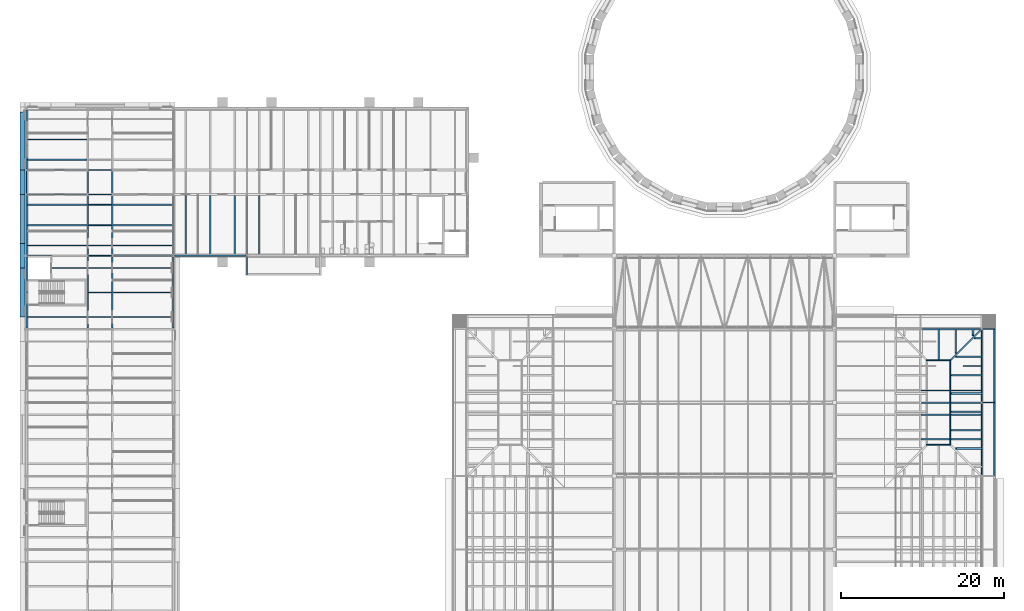
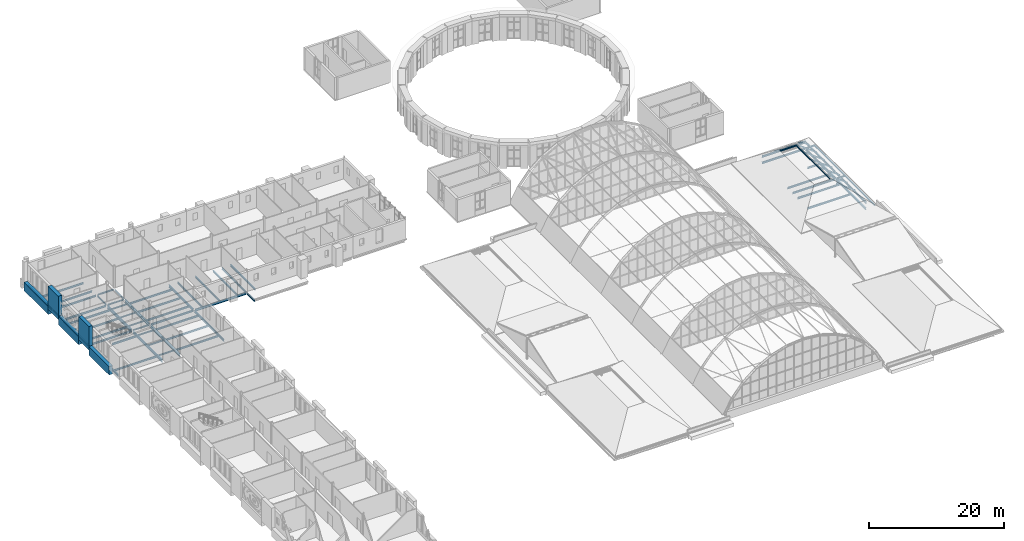
# One storey, part 48 of 121: 63 beams, 16 members.
"""IFC4 building model written with IfcOpenShell, lengths in metres."""

from ifc_helpers import new_model, si_unit, direction, frame, origin, origin_2d, place, context, subcontext, project, spatial, rectangle, hollow_rectangle, i_section, extrude, material, material_profile, profile_set, type_object, element, save


model = new_model("IFC4")

# Units and contexts
model_context = context("Model", 3, precision=1e-05, world=origin(), true_north=direction((0.0, 1.0)))
body_context = subcontext(model_context, "Body", "Model", "MODEL_VIEW")
ifc_project = project(units=[si_unit("LENGTHUNIT", "METRE"), si_unit("AREAUNIT", "SQUARE_METRE"), si_unit("VOLUMEUNIT", "CUBIC_METRE"), si_unit("PLANEANGLEUNIT", "RADIAN"), si_unit("MASSUNIT", "GRAM", prefix="KILO")], contexts=[model_context])

# Site, building, storey
site_placement = place(None, origin())
site = spatial("IfcSite", under=ifc_project, at=site_placement, CompositionType="ELEMENT")
building_placement = place(site_placement, origin())
building = spatial("IfcBuilding", under=site, at=building_placement, Name="Golden Quay Civic Hall", CompositionType="ELEMENT")
storey_placement = place(building_placement, frame((0.0, 0.0, 18.60009765625)))
storey = spatial("IfcBuildingStorey", under=building, at=storey_placement, Name="L04", CompositionType="ELEMENT", Elevation=18.60009765625)

# Beams
ifc_material_1 = material(Name="Steel S355", Category="steel")
ifc_material_profile_1 = material_profile(ifc_material_1, i_section(OverallWidth=0.199951171875, OverallDepth=0.18994140625, WebThickness=0.006591796875, FlangeThickness=0.010009765625, FilletRadius=0.01806640625, at=origin_2d()), Name="HEA 200")
ifc_profile_set_1 = profile_set([ifc_material_profile_1], Name="Steel S355")
beam_type_1 = type_object("IfcBeamType", Name="Eave edge beam HEA 200", PredefinedType="BEAM", material=ifc_profile_set_1)
for number, where, z_axis, x_axis, name in (
    (1, (118.550048828125, 36.0673828125, -0.34521484375), (0.0, 1.0, 0.0), (-1.0, 0.0, 0.0), "Eave edge beam HEA 200 L04 20"),
    (2, (118.550048828125, 45.0673828125, -0.34521484375), (0.0, 1.0, 0.0), (-1.0, 0.0, 0.0), "Eave edge beam HEA 200 L04 21"),
):
    element("IfcBeam", number, at=place(storey_placement, frame(where, z_axis=z_axis, x_axis=x_axis)), inside=storey, type_object=beam_type_1, Name=name, PredefinedType="BEAM", context=body_context, shape_type="SweptSolid", body=[
        extrude(i_section(OverallWidth=0.199951171875, OverallDepth=0.18994140625, WebThickness=0.006591796875, FlangeThickness=0.010009765625, FilletRadius=0.01806640625, at=origin_2d()), origin(), (0.0, 0.0, 1.0), 8.865234375),
    ])
ifc_material_2 = material(Name="Steel S355", Category="steel")
ifc_material_profile_2 = material_profile(ifc_material_2, i_section(OverallWidth=0.135009765625, OverallDepth=0.27001953125, WebThickness=0.006591796875, FlangeThickness=0.01025390625, FilletRadius=0.014892578125, at=origin_2d()), Name="IPE 270")
ifc_profile_set_2 = profile_set([ifc_material_profile_2], Name="Steel S355")
beam_type_2 = type_object("IfcBeamType", Name="Eave stub IPE 270", PredefinedType="BEAM", material=ifc_profile_set_2)
for number, where, z_axis, x_axis, name in (
    (3, (117.10009765625, 45.0, -0.385009765625), (1.0, 0.0, 0.0), (0.0, 1.0, 0.0), "Eave stub IPE 270 L04 25"),
    (4, (117.10009765625, 54.0, -0.385009765625), (1.0, 0.0, 0.0), (0.0, 1.0, 0.0), "Eave stub IPE 270 L04 26"),
):
    element("IfcBeam", number, at=place(storey_placement, frame(where, z_axis=z_axis, x_axis=x_axis)), inside=storey, type_object=beam_type_2, Name=name, PredefinedType="BEAM", context=body_context, shape_type="SweptSolid", body=[
        extrude(i_section(OverallWidth=0.135009765625, OverallDepth=0.27001953125, WebThickness=0.006591796875, FlangeThickness=0.01025390625, FilletRadius=0.014892578125, at=origin_2d()), origin(), (0.0, 0.0, 1.0), 1.5498046875),
    ])
ifc_material_3 = material(Name="Steel S355", Category="steel")
ifc_material_profile_3 = material_profile(ifc_material_3, i_section(OverallWidth=0.159912109375, OverallDepth=0.330078125, WebThickness=0.007568359375, FlangeThickness=0.011474609375, FilletRadius=0.01806640625, at=origin_2d()), Name="IPE 330")
ifc_profile_set_3 = profile_set([ifc_material_profile_3], Name="Steel S355")
beam_type_3 = type_object("IfcBeamType", Name="Loggia stub IPE 330", PredefinedType="BEAM", material=ifc_profile_set_3)
beam_1_placement = place(storey_placement, frame((27.0, 62.905029296875, -0.364990234375), z_axis=(0.0, -1.0, 0.0), x_axis=(1.0, 0.0, 0.0)))
element("IfcBeam", 5, at=beam_1_placement, inside=storey, type_object=beam_type_3, Name="Loggia stub IPE 330 L04 1", PredefinedType="BEAM", context=body_context, shape_type="SweptSolid", body=[
    extrude(i_section(OverallWidth=0.159912109375, OverallDepth=0.330078125, WebThickness=0.007568359375, FlangeThickness=0.011474609375, FilletRadius=0.01806640625, at=origin_2d()), origin(), (0.0, 0.0, 1.0), 2.255126953125),
])

# Members
ifc_material_4 = material(Name="Concrete C40/50", Category="concrete")
ifc_material_profile_4 = material_profile(ifc_material_4, rectangle(XDim=3.0, YDim=0.60009765625, at=origin_2d()), Name="RC 3000x600")
ifc_profile_set_4 = profile_set([ifc_material_profile_4], Name="Concrete C40/50")
member_type_1 = type_object("IfcMemberType", Name="Precast concrete facade pier 3000 x 600", PredefinedType="POST", material=ifc_profile_set_4)
for number, where, z_axis, x_axis, name in (
    (6, (-0.5, 63.0, 0.0), (0.0, 0.0, 1.0), (0.0, 1.0, 0.0), "Precast concrete facade pier 3000 x 600 L04 7"),
    (7, (-0.5, 72.0, 0.0), (0.0, 0.0, 1.0), (0.0, 1.0, 0.0), "Precast concrete facade pier 3000 x 600 L04 8"),
):
    element("IfcMember", number, at=place(storey_placement, frame(where, z_axis=z_axis, x_axis=x_axis)), inside=storey, type_object=member_type_1, Name=name, PredefinedType="POST", context=body_context, shape_type="SweptSolid", body=[
        extrude(rectangle(XDim=3.0, YDim=0.60009765625, at=origin_2d()), origin(), (0.0, 0.0, 1.0), 4.199951171875),
    ])

# Beams
ifc_material_5 = material(Name="Concrete C40/50", Category="concrete")
ifc_material_profile_5 = material_profile(ifc_material_5, rectangle(XDim=0.60009765625, YDim=1.5, at=origin_2d()), Name="RC 600x1500")
ifc_profile_set_5 = profile_set([ifc_material_profile_5], Name="Concrete C40/50")
beam_type_4 = type_object("IfcBeamType", Name="Precast concrete spandrel beam 600 x 1500", PredefinedType="SPANDREL", material=ifc_profile_set_5)
beam_2_placement = place(storey_placement, frame((-0.5, 73.5, -0.150146484375), z_axis=(0.0, 1.0, 0.0), x_axis=(-1.0, 0.0, 0.0)))
element("IfcBeam", 8, at=beam_2_placement, inside=storey, type_object=beam_type_4, Name="Precast concrete spandrel beam 600 x 1500 L04 3", PredefinedType="SPANDREL", context=body_context, shape_type="SweptSolid", body=[
    extrude(rectangle(XDim=0.60009765625, YDim=1.5, at=origin_2d()), origin(), (0.0, 0.0, 1.0), 7.10009765625),
])
for number, where, z_axis, x_axis, name in (
    (9, (-0.5, 64.5, -0.150146484375), (0.0, 1.0, 0.0), (-1.0, 0.0, 0.0), "Precast concrete spandrel beam 600 x 1500 L04 6"),
    (10, (-0.5, 55.5, -0.150146484375), (0.0, 1.0, 0.0), (-1.0, 0.0, 0.0), "Precast concrete spandrel beam 600 x 1500 L04 7"),
):
    element("IfcBeam", number, at=place(storey_placement, frame(where, z_axis=z_axis, x_axis=x_axis)), inside=storey, type_object=beam_type_4, Name=name, PredefinedType="SPANDREL", context=body_context, shape_type="SweptSolid", body=[
        extrude(rectangle(XDim=0.60009765625, YDim=1.5, at=origin_2d()), origin(), (0.0, 0.0, 1.0), 6.0),
    ])
ifc_material_6 = material(Name="Steel S355", Category="steel")
ifc_material_profile_6 = material_profile(ifc_material_6, i_section(OverallWidth=0.10009765625, OverallDepth=0.199951171875, WebThickness=0.005615234375, FlangeThickness=0.008544921875, FilletRadius=0.011962890625, at=origin_2d()), Name="IPE 200")
ifc_profile_set_6 = profile_set([ifc_material_profile_6], Name="Steel S355")
beam_type_5 = type_object("IfcBeamType", Name="Steel beam IPE 200", PredefinedType="BEAM", material=ifc_profile_set_6)
for number, where, z_axis, x_axis, name in (
    (11, (7.64990234375, 63.0, -0.300048828125), (1.0, 0.0, 0.0), (0.0, 1.0, 0.0), "Beam S63-7.5"),
    (12, (7.64990234375, 70.5, -0.300048828125), (1.0, 0.0, 0.0), (0.0, 1.0, 0.0), "Beam S70.5-7.5"),
    (13, (7.64990234375, 73.5, -0.300048828125), (1.0, 0.0, 0.0), (0.0, 1.0, 0.0), "Beam S73.5-7.5"),
):
    element("IfcBeam", number, at=place(storey_placement, frame(where, z_axis=z_axis, x_axis=x_axis)), inside=storey, type_object=beam_type_5, Name=name, PredefinedType="BEAM", context=body_context, shape_type="SweptSolid", body=[
        extrude(i_section(OverallWidth=0.10009765625, OverallDepth=0.199951171875, WebThickness=0.005615234375, FlangeThickness=0.008544921875, FilletRadius=0.011962890625, at=origin_2d()), origin(), (0.0, 0.0, 1.0), 2.7001953125),
    ])
ifc_material_7 = material(Name="Steel S355", Category="steel")
ifc_material_profile_7 = material_profile(ifc_material_7, i_section(OverallWidth=0.135009765625, OverallDepth=0.27001953125, WebThickness=0.006591796875, FlangeThickness=0.01025390625, FilletRadius=0.014892578125, at=origin_2d()), Name="IPE 270")
ifc_profile_set_7 = profile_set([ifc_material_profile_7], Name="Steel S355")
beam_type_6 = type_object("IfcBeamType", Name="Steel beam IPE 270", PredefinedType="BEAM", material=ifc_profile_set_7)
beam_3_placement = place(storey_placement, frame((0.0, 70.635009765625, -0.335205078125), z_axis=(0.0, 1.0, 0.0), x_axis=(-1.0, 0.0, 0.0)))
element("IfcBeam", 14, at=beam_3_placement, inside=storey, type_object=beam_type_6, Name="Beam L0-70.5", PredefinedType="BEAM", context=body_context, shape_type="SweptSolid", body=[
    extrude(i_section(OverallWidth=0.135009765625, OverallDepth=0.27001953125, WebThickness=0.006591796875, FlangeThickness=0.01025390625, FilletRadius=0.014892578125, at=origin_2d()), origin(), (0.0, 0.0, 1.0), 2.72998046875),
])
for number, where, z_axis, x_axis, name in (
    (15, (7.5, 70.64501953125, -0.335205078125), (0.0, 1.0, 0.0), (-1.0, 0.0, 0.0), "Beam L7.5-70.5"),
    (16, (10.5, 70.64501953125, -0.335205078125), (0.0, 1.0, 0.0), (-1.0, 0.0, 0.0), "Beam L10.5-70.5"),
):
    element("IfcBeam", number, at=place(storey_placement, frame(where, z_axis=z_axis, x_axis=x_axis)), inside=storey, type_object=beam_type_6, Name=name, PredefinedType="BEAM", context=body_context, shape_type="SweptSolid", body=[
        extrude(i_section(OverallWidth=0.135009765625, OverallDepth=0.27001953125, WebThickness=0.006591796875, FlangeThickness=0.01025390625, FilletRadius=0.014892578125, at=origin_2d()), origin(), (0.0, 0.0, 1.0), 2.7099609375),
    ])
ifc_material_8 = material(Name="Steel S355", Category="steel")
ifc_material_profile_8 = material_profile(ifc_material_8, i_section(OverallWidth=0.159912109375, OverallDepth=0.330078125, WebThickness=0.007568359375, FlangeThickness=0.011474609375, FilletRadius=0.01806640625, at=origin_2d()), Name="IPE 330")
ifc_profile_set_8 = profile_set([ifc_material_profile_8], Name="Steel S355")
beam_type_7 = type_object("IfcBeamType", Name="Steel beam IPE 330", PredefinedType="BEAM", material=ifc_profile_set_8)
for number, where, z_axis, x_axis, name in (
    (17, (0.139892578125, 63.0, -0.364990234375), (1.0, 0.0, 0.0), (0.0, 1.0, 0.0), "Beam S63-0"),
    (18, (10.64990234375, 63.0, -0.364990234375), (1.0, 0.0, 0.0), (0.0, 1.0, 0.0), "Beam S63-10.5"),
    (19, (0.139892578125, 70.5, -0.364990234375), (1.0, 0.0, 0.0), (0.0, 1.0, 0.0), "Beam S70.5-0"),
    (20, (0.139892578125, 73.5, -0.364990234375), (1.0, 0.0, 0.0), (0.0, 1.0, 0.0), "Beam S73.5-0"),
):
    element("IfcBeam", number, at=place(storey_placement, frame(where, z_axis=z_axis, x_axis=x_axis)), inside=storey, type_object=beam_type_7, Name=name, PredefinedType="BEAM", context=body_context, shape_type="SweptSolid", body=[
        extrude(i_section(OverallWidth=0.159912109375, OverallDepth=0.330078125, WebThickness=0.007568359375, FlangeThickness=0.011474609375, FilletRadius=0.01806640625, at=origin_2d()), origin(), (0.0, 0.0, 1.0), 7.210205078125),
    ])
beam_4_placement = place(storey_placement, frame((27.0, 63.114990234375, -0.364990234375), z_axis=(0.0, 1.0, 0.0), x_axis=(-1.0, 0.0, 0.0)))
element("IfcBeam", 21, at=beam_4_placement, inside=storey, type_object=beam_type_7, Name="Beam S27-63", PredefinedType="BEAM", context=body_context, shape_type="SweptSolid", body=[
    extrude(i_section(OverallWidth=0.159912109375, OverallDepth=0.330078125, WebThickness=0.007568359375, FlangeThickness=0.011474609375, FilletRadius=0.01806640625, at=origin_2d()), origin(), (0.0, 0.0, 1.0), 7.25),
])
beam_5_placement = place(storey_placement, frame((109.6201171875, 45.0, -0.4150390625), z_axis=(1.0, 0.0, 0.0), x_axis=(0.0, 1.0, 0.0)))
element("IfcBeam", 22, at=beam_5_placement, inside=storey, type_object=beam_type_7, Name="Beam S45-109.5", PredefinedType="BEAM", context=body_context, shape_type="SweptSolid", body=[
    extrude(i_section(OverallWidth=0.159912109375, OverallDepth=0.330078125, WebThickness=0.007568359375, FlangeThickness=0.011474609375, FilletRadius=0.01806640625, at=origin_2d()), origin(), (0.0, 0.0, 1.0), 7.27978515625),
])
beam_6_placement = place(storey_placement, frame((109.60009765625, 54.0, -0.4150390625), z_axis=(1.0, 0.0, 0.0), x_axis=(0.0, 1.0, 0.0)))
element("IfcBeam", 23, at=beam_6_placement, inside=storey, type_object=beam_type_7, Name="Beam S54-109.5", PredefinedType="BEAM", context=body_context, shape_type="SweptSolid", body=[
    extrude(i_section(OverallWidth=0.159912109375, OverallDepth=0.330078125, WebThickness=0.007568359375, FlangeThickness=0.011474609375, FilletRadius=0.01806640625, at=origin_2d()), origin(), (0.0, 0.0, 1.0), 7.2998046875),
])
ifc_material_9 = material(Name="Steel S355", Category="steel")
ifc_material_profile_9 = material_profile(ifc_material_9, i_section(OverallWidth=0.179931640625, OverallDepth=0.39990234375, WebThickness=0.008544921875, FlangeThickness=0.013427734375, FilletRadius=0.02099609375, at=origin_2d()), Name="IPE 400")
ifc_profile_set_9 = profile_set([ifc_material_profile_9], Name="Steel S355")
beam_type_8 = type_object("IfcBeamType", Name="Steel beam IPE 400", PredefinedType="BEAM", material=ifc_profile_set_9)
beam_7_placement = place(storey_placement, frame((0.0, 54.135009765625, -0.400146484375), z_axis=(0.0, 1.0, 0.0), x_axis=(-1.0, 0.0, 0.0)))
element("IfcBeam", 24, at=beam_7_placement, inside=storey, type_object=beam_type_8, Name="Beam L0-54", PredefinedType="BEAM", context=body_context, shape_type="SweptSolid", body=[
    extrude(i_section(OverallWidth=0.179931640625, OverallDepth=0.39990234375, WebThickness=0.008544921875, FlangeThickness=0.013427734375, FilletRadius=0.02099609375, at=origin_2d()), origin(), (0.0, 0.0, 1.0), 8.72998046875),
])
for number, where, z_axis, x_axis, name in (
    (25, (0.0, 63.135009765625, -0.400146484375), (0.0, 1.0, 0.0), (-1.0, 0.0, 0.0), "Beam L0-63"),
    (26, (0.0, 73.635009765625, -0.400146484375), (0.0, 1.0, 0.0), (-1.0, 0.0, 0.0), "Beam L0-73.5"),
):
    element("IfcBeam", number, at=place(storey_placement, frame(where, z_axis=z_axis, x_axis=x_axis)), inside=storey, type_object=beam_type_8, Name=name, PredefinedType="BEAM", context=body_context, shape_type="SweptSolid", body=[
        extrude(i_section(OverallWidth=0.179931640625, OverallDepth=0.39990234375, WebThickness=0.008544921875, FlangeThickness=0.013427734375, FilletRadius=0.02099609375, at=origin_2d()), origin(), (0.0, 0.0, 1.0), 7.22998046875),
    ])
beam_8_placement = place(storey_placement, frame((18.0, 54.135009765625, -0.400146484375), z_axis=(0.0, 1.0, 0.0), x_axis=(-1.0, 0.0, 0.0)))
element("IfcBeam", 27, at=beam_8_placement, inside=storey, type_object=beam_type_8, Name="Beam L18-54", PredefinedType="BEAM", context=body_context, shape_type="SweptSolid", body=[
    extrude(i_section(OverallWidth=0.179931640625, OverallDepth=0.39990234375, WebThickness=0.008544921875, FlangeThickness=0.013427734375, FilletRadius=0.02099609375, at=origin_2d()), origin(), (0.0, 0.0, 1.0), 8.72998046875),
])
beam_9_placement = place(storey_placement, frame((18.0, 63.135009765625, -0.400146484375), z_axis=(0.0, 1.0, 0.0), x_axis=(-1.0, 0.0, 0.0)))
element("IfcBeam", 28, at=beam_9_placement, inside=storey, type_object=beam_type_8, Name="Beam L18-63", PredefinedType="BEAM", context=body_context, shape_type="SweptSolid", body=[
    extrude(i_section(OverallWidth=0.179931640625, OverallDepth=0.39990234375, WebThickness=0.008544921875, FlangeThickness=0.013427734375, FilletRadius=0.02099609375, at=origin_2d()), origin(), (0.0, 0.0, 1.0), 7.22998046875),
])
beam_10_placement = place(storey_placement, frame((18.139892578125, 63.0, -0.400146484375), z_axis=(1.0, 0.0, 0.0), x_axis=(0.0, 1.0, 0.0)))
element("IfcBeam", 29, at=beam_10_placement, inside=storey, type_object=beam_type_8, Name="Beam L63-18", PredefinedType="BEAM", context=body_context, shape_type="SweptSolid", body=[
    extrude(i_section(OverallWidth=0.179931640625, OverallDepth=0.39990234375, WebThickness=0.008544921875, FlangeThickness=0.013427734375, FilletRadius=0.02099609375, at=origin_2d()), origin(), (0.0, 0.0, 1.0), 8.739990234375),
])
for number, where, z_axis, x_axis, name in (
    (30, (117.0, 36.094970703125, -0.4501953125), (0.0, 1.0, 0.0), (-1.0, 0.0, 0.0), "Beam L117-36"),
    (31, (117.0, 45.094970703125, -0.4501953125), (0.0, 1.0, 0.0), (-1.0, 0.0, 0.0), "Beam L117-45"),
):
    element("IfcBeam", number, at=place(storey_placement, frame(where, z_axis=z_axis, x_axis=x_axis)), inside=storey, type_object=beam_type_8, Name=name, PredefinedType="BEAM", context=body_context, shape_type="SweptSolid", body=[
        extrude(i_section(OverallWidth=0.179931640625, OverallDepth=0.39990234375, WebThickness=0.008544921875, FlangeThickness=0.013427734375, FilletRadius=0.02099609375, at=origin_2d()), origin(), (0.0, 0.0, 1.0), 8.81005859375),
    ])
ifc_material_10 = material(Name="Steel S355", Category="steel")
ifc_material_profile_10 = material_profile(ifc_material_10, i_section(OverallWidth=0.199951171875, OverallDepth=0.5, WebThickness=0.01025390625, FlangeThickness=0.01611328125, FilletRadius=0.02099609375, at=origin_2d()), Name="IPE 500")
ifc_profile_set_10 = profile_set([ifc_material_profile_10], Name="Steel S355")
beam_type_9 = type_object("IfcBeamType", Name="Steel beam IPE 500", PredefinedType="BEAM", material=ifc_profile_set_10)
beam_11_placement = place(storey_placement, frame((7.5, 54.14501953125, -0.4501953125), z_axis=(0.0, 1.0, 0.0), x_axis=(-1.0, 0.0, 0.0)))
element("IfcBeam", 32, at=beam_11_placement, inside=storey, type_object=beam_type_9, Name="Beam L7.5-54", PredefinedType="BEAM", context=body_context, shape_type="SweptSolid", body=[
    extrude(i_section(OverallWidth=0.199951171875, OverallDepth=0.5, WebThickness=0.01025390625, FlangeThickness=0.01611328125, FilletRadius=0.02099609375, at=origin_2d()), origin(), (0.0, 0.0, 1.0), 8.7099609375),
])
beam_12_placement = place(storey_placement, frame((7.5, 63.14501953125, -0.4501953125), z_axis=(0.0, 1.0, 0.0), x_axis=(-1.0, 0.0, 0.0)))
element("IfcBeam", 33, at=beam_12_placement, inside=storey, type_object=beam_type_9, Name="Beam L7.5-63", PredefinedType="BEAM", context=body_context, shape_type="SweptSolid", body=[
    extrude(i_section(OverallWidth=0.199951171875, OverallDepth=0.5, WebThickness=0.01025390625, FlangeThickness=0.01611328125, FilletRadius=0.02099609375, at=origin_2d()), origin(), (0.0, 0.0, 1.0), 7.2099609375),
])
beam_13_placement = place(storey_placement, frame((10.5, 54.14501953125, -0.4501953125), z_axis=(0.0, 1.0, 0.0), x_axis=(-1.0, 0.0, 0.0)))
element("IfcBeam", 34, at=beam_13_placement, inside=storey, type_object=beam_type_9, Name="Beam L10.5-54", PredefinedType="BEAM", context=body_context, shape_type="SweptSolid", body=[
    extrude(i_section(OverallWidth=0.199951171875, OverallDepth=0.5, WebThickness=0.01025390625, FlangeThickness=0.01611328125, FilletRadius=0.02099609375, at=origin_2d()), origin(), (0.0, 0.0, 1.0), 8.7099609375),
])
beam_14_placement = place(storey_placement, frame((10.5, 63.14501953125, -0.4501953125), z_axis=(0.0, 1.0, 0.0), x_axis=(-1.0, 0.0, 0.0)))
element("IfcBeam", 35, at=beam_14_placement, inside=storey, type_object=beam_type_9, Name="Beam L10.5-63", PredefinedType="BEAM", context=body_context, shape_type="SweptSolid", body=[
    extrude(i_section(OverallWidth=0.199951171875, OverallDepth=0.5, WebThickness=0.01025390625, FlangeThickness=0.01611328125, FilletRadius=0.02099609375, at=origin_2d()), origin(), (0.0, 0.0, 1.0), 7.2099609375),
])

# Members
ifc_material_11 = material(Name="Steel S355", Category="steel")
ifc_material_profile_11 = material_profile(ifc_material_11, hollow_rectangle(XDim=0.199951171875, YDim=0.199951171875, WallThickness=0.010009765625, at=origin_2d()), Name="SHS 200x200x10")
ifc_profile_set_11 = profile_set([ifc_material_profile_11], Name="Steel S355")
member_type_2 = type_object("IfcMemberType", Name="Steel jack rafter SHS 200x200x10", PredefinedType="RAFTER", material=ifc_profile_set_11)
member_1_placement = place(storey_placement, frame((111.75, 54.0, 0.96484375), z_axis=(0.0, -0.8, 0.6), x_axis=(1.0, 0.0, 0.0)))
element("IfcMember", 36, at=member_1_placement, inside=storey, type_object=member_type_2, Name="Jack rafter EM-N north 3", PredefinedType="RAFTER", context=body_context, shape_type="SweptSolid", body=[
    extrude(hollow_rectangle(XDim=0.199951171875, YDim=0.199951171875, WallThickness=0.010009765625, at=origin_2d()), origin(), (0.0, 0.0, 1.0), 4.6875),
])
member_2_placement = place(storey_placement, frame((113.85009765625, 54.0, 0.96484375), z_axis=(0.0, -0.799983835699, 0.600021551797), x_axis=(1.0, 0.0, 0.0)))
element("IfcMember", 37, at=member_2_placement, inside=storey, type_object=member_type_2, Name="Jack rafter EM-N north 4", PredefinedType="RAFTER", context=body_context, shape_type="SweptSolid", body=[
    extrude(hollow_rectangle(XDim=0.199951171875, YDim=0.199951171875, WallThickness=0.010009765625, at=origin_2d()), origin(), (0.0, 0.0, 1.0), 3.625),
])
member_3_placement = place(storey_placement, frame((115.949951171875, 54.0, 0.96484375), z_axis=(0.0, -0.799970705032, 0.600039057971), x_axis=(1.0, 0.0, 0.0)))
element("IfcMember", 38, at=member_3_placement, inside=storey, type_object=member_type_2, Name="Jack rafter EM-N north 5", PredefinedType="RAFTER", context=body_context, shape_type="SweptSolid", body=[
    extrude(hollow_rectangle(XDim=0.199951171875, YDim=0.199951171875, WallThickness=0.010009765625, at=origin_2d()), origin(), (0.0, 0.0, 1.0), 1.0),
])
member_4_placement = place(storey_placement, frame((117.0, 39.375, 0.96484375), z_axis=(-0.8, 0.0, 0.6), x_axis=(0.0, -1.0, 0.0)))
element("IfcMember", 39, at=member_4_placement, inside=storey, type_object=member_type_2, Name="Jack rafter EM-N east 2", PredefinedType="RAFTER", context=body_context, shape_type="SweptSolid", body=[
    extrude(hollow_rectangle(XDim=0.199951171875, YDim=0.199951171875, WallThickness=0.010009765625, at=origin_2d()), origin(), (0.0, 0.0, 1.0), 3.90625),
])
for number, where, z_axis, x_axis, name in (
    (40, (117.0, 41.625, 0.96484375), (-0.8, 0.0, 0.6), (0.0, -1.0, 0.0), "Jack rafter EM-N east 3"),
    (41, (117.0, 43.875, 0.96484375), (-0.8, 0.0, 0.6), (0.0, -1.0, 0.0), "Jack rafter EM-N east 4"),
    (42, (117.0, 46.125, 0.96484375), (-0.8, 0.0, 0.6), (0.0, -1.0, 0.0), "Jack rafter EM-N east 5"),
    (43, (117.0, 48.375, 0.96484375), (-0.8, 0.0, 0.6), (0.0, -1.0, 0.0), "Jack rafter EM-N east 6"),
):
    element("IfcMember", number, at=place(storey_placement, frame(where, z_axis=z_axis, x_axis=x_axis)), inside=storey, type_object=member_type_2, Name=name, PredefinedType="RAFTER", context=body_context, shape_type="SweptSolid", body=[
        extrude(hollow_rectangle(XDim=0.199951171875, YDim=0.199951171875, WallThickness=0.010009765625, at=origin_2d()), origin(), (0.0, 0.0, 1.0), 4.6875),
    ])
member_5_placement = place(storey_placement, frame((117.0, 50.625, 0.96484375), z_axis=(-0.8, 0.0, 0.6), x_axis=(0.0, -1.0, 0.0)))
element("IfcMember", 44, at=member_5_placement, inside=storey, type_object=member_type_2, Name="Jack rafter EM-N east 7", PredefinedType="RAFTER", context=body_context, shape_type="SweptSolid", body=[
    extrude(hollow_rectangle(XDim=0.199951171875, YDim=0.199951171875, WallThickness=0.010009765625, at=origin_2d()), origin(), (0.0, 0.0, 1.0), 3.90625),
])
member_6_placement = place(storey_placement, frame((117.0, 52.875, 0.96484375), z_axis=(-0.8, 0.0, 0.6), x_axis=(0.0, -1.0, 0.0)))
element("IfcMember", 45, at=member_6_placement, inside=storey, type_object=member_type_2, Name="Jack rafter EM-N east 8", PredefinedType="RAFTER", context=body_context, shape_type="SweptSolid", body=[
    extrude(hollow_rectangle(XDim=0.199951171875, YDim=0.199951171875, WallThickness=0.010009765625, at=origin_2d()), origin(), (0.0, 0.0, 1.0), 1.09375),
])

# Beams
ifc_material_12 = material(Name="Steel S355", Category="steel")
ifc_material_profile_12 = material_profile(ifc_material_12, i_section(OverallWidth=0.10009765625, OverallDepth=0.199951171875, WebThickness=0.005615234375, FlangeThickness=0.008544921875, FilletRadius=0.011962890625, at=origin_2d()), Name="IPE 200")
ifc_profile_set_12 = profile_set([ifc_material_profile_12], Name="Steel S355")
beam_type_10 = type_object("IfcBeamType", Name="Steel joist IPE 200", PredefinedType="JOIST", material=ifc_profile_set_12)
for number, where, z_axis, x_axis, name in (
    (46, (7.60009765625, 55.5, -0.300048828125), (1.0, 0.0, 0.0), (0.0, 1.0, 0.0), "Joist J55.5-7.5"),
    (47, (7.60009765625, 58.5, -0.300048828125), (1.0, 0.0, 0.0), (0.0, 1.0, 0.0), "Joist J58.5-7.5"),
    (48, (7.60009765625, 61.5, -0.300048828125), (1.0, 0.0, 0.0), (0.0, 1.0, 0.0), "Joist J61.5-7.5"),
    (49, (7.60009765625, 64.25, -0.300048828125), (1.0, 0.0, 0.0), (0.0, 1.0, 0.0), "Joist J64.25-7.5"),
    (50, (7.60009765625, 66.75, -0.300048828125), (1.0, 0.0, 0.0), (0.0, 1.0, 0.0), "Joist J66.75-7.5"),
    (51, (7.60009765625, 69.25, -0.300048828125), (1.0, 0.0, 0.0), (0.0, 1.0, 0.0), "Joist J69.25-7.5"),
):
    element("IfcBeam", number, at=place(storey_placement, frame(where, z_axis=z_axis, x_axis=x_axis)), inside=storey, type_object=beam_type_10, Name=name, PredefinedType="JOIST", context=body_context, shape_type="SweptSolid", body=[
        extrude(i_section(OverallWidth=0.10009765625, OverallDepth=0.199951171875, WebThickness=0.005615234375, FlangeThickness=0.008544921875, FilletRadius=0.011962890625, at=origin_2d()), origin(), (0.0, 0.0, 1.0), 2.7998046875),
    ])
ifc_material_13 = material(Name="Steel S355", Category="steel")
ifc_material_profile_13 = material_profile(ifc_material_13, i_section(OverallWidth=0.159912109375, OverallDepth=0.330078125, WebThickness=0.007568359375, FlangeThickness=0.011474609375, FilletRadius=0.01806640625, at=origin_2d()), Name="IPE 330")
ifc_profile_set_13 = profile_set([ifc_material_profile_13], Name="Steel S355")
beam_type_11 = type_object("IfcBeamType", Name="Steel joist IPE 330", PredefinedType="JOIST", material=ifc_profile_set_13)
for number, where, z_axis, x_axis, name in (
    (52, (0.090087890625, 55.5, -0.364990234375), (1.0, 0.0, 0.0), (0.0, 1.0, 0.0), "Joist J55.5-0"),
    (53, (10.60009765625, 55.5, -0.364990234375), (1.0, 0.0, 0.0), (0.0, 1.0, 0.0), "Joist J55.5-10.5"),
    (54, (10.60009765625, 58.5, -0.364990234375), (1.0, 0.0, 0.0), (0.0, 1.0, 0.0), "Joist J58.5-10.5"),
):
    element("IfcBeam", number, at=place(storey_placement, frame(where, z_axis=z_axis, x_axis=x_axis)), inside=storey, type_object=beam_type_11, Name=name, PredefinedType="JOIST", context=body_context, shape_type="SweptSolid", body=[
        extrude(i_section(OverallWidth=0.159912109375, OverallDepth=0.330078125, WebThickness=0.007568359375, FlangeThickness=0.011474609375, FilletRadius=0.01806640625, at=origin_2d()), origin(), (0.0, 0.0, 1.0), 7.309814453125),
    ])
beam_15_placement = place(storey_placement, frame((3.14990234375, 61.5, -0.364990234375), z_axis=(1.0, 0.0, 0.0), x_axis=(0.0, 1.0, 0.0)))
element("IfcBeam", 55, at=beam_15_placement, inside=storey, type_object=beam_type_11, Name="Joist J61.5-0-1", PredefinedType="JOIST", context=body_context, shape_type="SweptSolid", body=[
    extrude(i_section(OverallWidth=0.159912109375, OverallDepth=0.330078125, WebThickness=0.007568359375, FlangeThickness=0.011474609375, FilletRadius=0.01806640625, at=origin_2d()), origin(), (0.0, 0.0, 1.0), 4.25),
])
for number, where, z_axis, x_axis, name in (
    (56, (10.60009765625, 61.5, -0.364990234375), (1.0, 0.0, 0.0), (0.0, 1.0, 0.0), "Joist J61.5-10.5"),
    (57, (0.090087890625, 64.25, -0.364990234375), (1.0, 0.0, 0.0), (0.0, 1.0, 0.0), "Joist J64.25-0"),
    (58, (10.60009765625, 64.25, -0.364990234375), (1.0, 0.0, 0.0), (0.0, 1.0, 0.0), "Joist J64.25-10.5"),
    (59, (0.090087890625, 66.75, -0.364990234375), (1.0, 0.0, 0.0), (0.0, 1.0, 0.0), "Joist J66.75-0"),
    (60, (10.60009765625, 66.75, -0.364990234375), (1.0, 0.0, 0.0), (0.0, 1.0, 0.0), "Joist J66.75-10.5"),
    (61, (0.090087890625, 69.25, -0.364990234375), (1.0, 0.0, 0.0), (0.0, 1.0, 0.0), "Joist J69.25-0"),
    (62, (10.60009765625, 69.25, -0.364990234375), (1.0, 0.0, 0.0), (0.0, 1.0, 0.0), "Joist J69.25-10.5"),
    (63, (0.090087890625, 74.75, -0.364990234375), (1.0, 0.0, 0.0), (0.0, 1.0, 0.0), "Joist J74.75-0"),
    (64, (0.090087890625, 77.25, -0.364990234375), (1.0, 0.0, 0.0), (0.0, 1.0, 0.0), "Joist J77.25-0"),
    (65, (19.5, 63.090087890625, -0.364990234375), (0.0, 1.0, 0.0), (-1.0, 0.0, 0.0), "Joist J19.5-63"),
    (66, (22.5, 63.090087890625, -0.364990234375), (0.0, 1.0, 0.0), (-1.0, 0.0, 0.0), "Joist J22.5-63"),
    (67, (25.5, 63.090087890625, -0.364990234375), (0.0, 1.0, 0.0), (-1.0, 0.0, 0.0), "Joist J25.5-63"),
    (68, (28.5, 63.090087890625, -0.364990234375), (0.0, 1.0, 0.0), (-1.0, 0.0, 0.0), "Joist J28.5-63"),
    (69, (109.60009765625, 40.5, -0.4150390625), (1.0, 0.0, 0.0), (0.0, 1.0, 0.0), "Joist J40.5-109.5"),
    (70, (109.60009765625, 43.5, -0.4150390625), (1.0, 0.0, 0.0), (0.0, 1.0, 0.0), "Joist J43.5-109.5"),
    (71, (109.60009765625, 46.5, -0.4150390625), (1.0, 0.0, 0.0), (0.0, 1.0, 0.0), "Joist J46.5-109.5"),
):
    element("IfcBeam", number, at=place(storey_placement, frame(where, z_axis=z_axis, x_axis=x_axis)), inside=storey, type_object=beam_type_11, Name=name, PredefinedType="JOIST", context=body_context, shape_type="SweptSolid", body=[
        extrude(i_section(OverallWidth=0.159912109375, OverallDepth=0.330078125, WebThickness=0.007568359375, FlangeThickness=0.011474609375, FilletRadius=0.01806640625, at=origin_2d()), origin(), (0.0, 0.0, 1.0), 7.309814453125),
    ])
beam_16_placement = place(storey_placement, frame((114.75, 49.5, -0.4150390625), z_axis=(1.0, 0.0, 0.0), x_axis=(0.0, 1.0, 0.0)))
element("IfcBeam", 72, at=beam_16_placement, inside=storey, type_object=beam_type_11, Name="Joist J49.5-109.5-1", PredefinedType="JOIST", context=body_context, shape_type="SweptSolid", body=[
    extrude(i_section(OverallWidth=0.159912109375, OverallDepth=0.330078125, WebThickness=0.007568359375, FlangeThickness=0.011474609375, FilletRadius=0.01806640625, at=origin_2d()), origin(), (0.0, 0.0, 1.0), 2.159912109375),
])

# Members
ifc_material_14 = material(Name="Steel S355", Category="steel")
ifc_material_profile_14 = material_profile(ifc_material_14, hollow_rectangle(XDim=0.199951171875, YDim=0.199951171875, WallThickness=0.010009765625, at=origin_2d()), Name="SHS 200x200x10")
ifc_profile_set_14 = profile_set([ifc_material_profile_14], Name="Steel S355")
member_type_3 = type_object("IfcMemberType", Name="Steel pavilion hip rafter SHS 200x200x10", PredefinedType="RAFTER", material=ifc_profile_set_14)
member_7_placement = place(storey_placement, frame((117.0, 54.0, 0.92822265625), z_axis=(-0.625782928891, -0.625782928891, 0.465608689584), x_axis=(0.707106781187, -0.707106781187, 0.0)))
element("IfcMember", 73, at=member_7_placement, inside=storey, type_object=member_type_3, Name="Hip rafter EM-N north-east", PredefinedType="RAFTER", context=body_context, shape_type="SweptSolid", body=[
    extrude(hollow_rectangle(XDim=0.199951171875, YDim=0.199951171875, WallThickness=0.010009765625, at=origin_2d()), origin(), (0.0, 0.0, 1.0), 6.04052734375),
])
ifc_material_15 = material(Name="Steel S355", Category="steel")
ifc_material_profile_15 = material_profile(ifc_material_15, hollow_rectangle(XDim=0.1201171875, YDim=0.1201171875, WallThickness=0.008056640625, at=origin_2d()), Name="SHS 120x120x8")
ifc_profile_set_15 = profile_set([ifc_material_profile_15], Name="Steel S355")
member_type_4 = type_object("IfcMemberType", Name="Steel roof purlin SHS 120x120x8", PredefinedType="PURLIN", material=ifc_profile_set_15)
for number, where, z_axis, x_axis, name in (
    (74, (110.25, 39.81494140625, 3.84228515625), (1.0, 0.0, 0.0), (0.0, 1.0, 0.0), "Cap purlin EM-N south"),
    (75, (110.25, 50.18505859375, 3.84228515625), (1.0, 0.0, 0.0), (0.0, 1.0, 0.0), "Cap purlin EM-N north"),
):
    element("IfcMember", number, at=place(storey_placement, frame(where, z_axis=z_axis, x_axis=x_axis)), inside=storey, type_object=member_type_4, Name=name, PredefinedType="PURLIN", context=body_context, shape_type="SweptSolid", body=[
        extrude(hollow_rectangle(XDim=0.1201171875, YDim=0.1201171875, WallThickness=0.008056640625, at=origin_2d()), origin(), (0.0, 0.0, 1.0), 3.0),
    ])
member_8_placement = place(storey_placement, frame((113.18505859375, 39.8798828125, 3.84228515625), z_axis=(0.0, 1.0, 0.0), x_axis=(-1.0, 0.0, 0.0)))
element("IfcMember", 76, at=member_8_placement, inside=storey, type_object=member_type_4, Name="Cap purlin EM-N east", PredefinedType="PURLIN", context=body_context, shape_type="SweptSolid", body=[
    extrude(hollow_rectangle(XDim=0.1201171875, YDim=0.1201171875, WallThickness=0.008056640625, at=origin_2d()), origin(), (0.0, 0.0, 1.0), 10.240234375),
])

# Beams
ifc_material_16 = material(Name="Steel S355", Category="steel")
ifc_material_profile_16 = material_profile(ifc_material_16, i_section(OverallWidth=0.159912109375, OverallDepth=0.330078125, WebThickness=0.007568359375, FlangeThickness=0.011474609375, FilletRadius=0.01806640625, at=origin_2d()), Name="IPE 330")
ifc_profile_set_16 = profile_set([ifc_material_profile_16], Name="Steel S355")
beam_type_12 = type_object("IfcBeamType", Name="Steel wall plate beam IPE 330", PredefinedType="BEAM", material=ifc_profile_set_16)
beam_17_placement = place(storey_placement, frame((109.60009765625, 54.0, 0.719970703125), z_axis=(1.0, 0.0, 0.0), x_axis=(0.0, 1.0, 0.0)))
element("IfcBeam", 77, at=beam_17_placement, inside=storey, type_object=beam_type_12, Name="Wall plate beam EM-N N2", PredefinedType="BEAM", context=body_context, shape_type="SweptSolid", body=[
    extrude(i_section(OverallWidth=0.159912109375, OverallDepth=0.330078125, WebThickness=0.007568359375, FlangeThickness=0.011474609375, FilletRadius=0.01806640625, at=origin_2d()), origin(), (0.0, 0.0, 1.0), 7.31982421875),
])
for number, where, z_axis, x_axis, name in (
    (78, (117.0, 36.0, 0.719970703125), (0.0, 1.0, 0.0), (-1.0, 0.0, 0.0), "Wall plate beam EM-N E1"),
    (79, (117.0, 45.094970703125, 0.719970703125), (0.0, 1.0, 0.0), (-1.0, 0.0, 0.0), "Wall plate beam EM-N E2"),
):
    element("IfcBeam", number, at=place(storey_placement, frame(where, z_axis=z_axis, x_axis=x_axis)), inside=storey, type_object=beam_type_12, Name=name, PredefinedType="BEAM", context=body_context, shape_type="SweptSolid", body=[
        extrude(i_section(OverallWidth=0.159912109375, OverallDepth=0.330078125, WebThickness=0.007568359375, FlangeThickness=0.011474609375, FilletRadius=0.01806640625, at=origin_2d()), origin(), (0.0, 0.0, 1.0), 8.905029296875),
    ])

save(model, "model.ifc")
